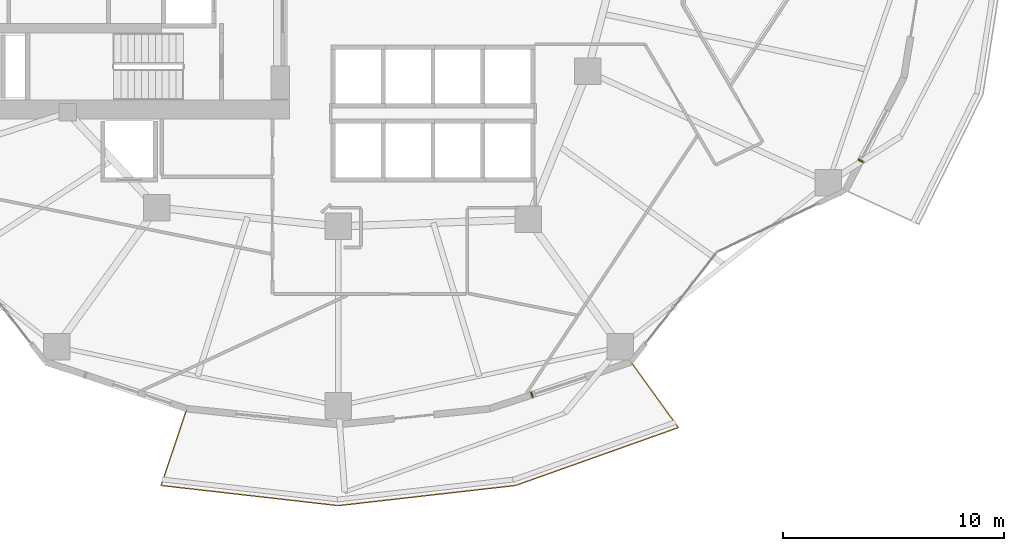
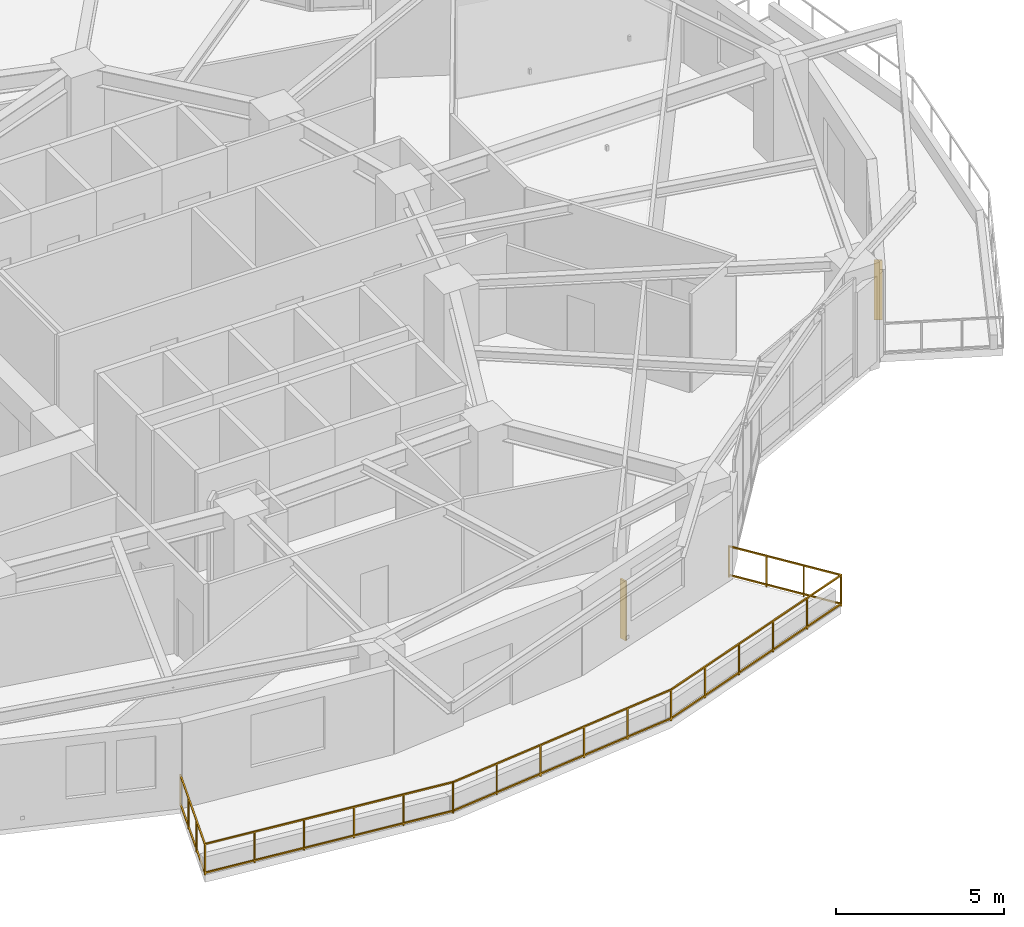
# One storey, part 16 of 18: 2 shading devices, 1 railing.
"""IFC4 building model written with IfcOpenShell, lengths in metres."""

from ifc_helpers import new_model, si_unit, direction, frame, origin, origin_2d, place, context, subcontext, project, spatial, rectangle, extrude, material, type_object, element, save


model = new_model("IFC4")

# Units and contexts
model_context = context("Model", 3, precision=1e-05, world=origin(), true_north=direction((0.0, 1.0)))
body_context = subcontext(model_context, "Body", "Model", "MODEL_VIEW")
ifc_project = project(units=[si_unit("LENGTHUNIT", "METRE"), si_unit("AREAUNIT", "SQUARE_METRE"), si_unit("VOLUMEUNIT", "CUBIC_METRE"), si_unit("PLANEANGLEUNIT", "RADIAN"), si_unit("MASSUNIT", "GRAM", prefix="KILO")], contexts=[model_context])

# Site, building, storey
site_placement = place(None, origin())
site = spatial("IfcSite", under=ifc_project, at=site_placement, CompositionType="ELEMENT")
building_placement = place(site_placement, origin())
building = spatial("IfcBuilding", under=site, at=building_placement, Name="Kolvaren Gate Tower and Convention Centre", CompositionType="ELEMENT")
storey_placement = place(building_placement, frame((0.0, 0.0, 61.14990234375)))
storey = spatial("IfcBuildingStorey", under=building, at=storey_placement, Name="L14", CompositionType="ELEMENT", Elevation=61.14990234375)

# Railing
ifc_material_1 = material(Name="Brushed Stainless Steel Grade 316L", Category="steel")
railing_type = type_object("IfcRailingType", Name="ARCH-RL-GUARD-1150", PredefinedType="GUARDRAIL", material=ifc_material_1)
railing_placement = place(storey_placement, frame((23.282470703125, 6.57080078125, 0.0)))
element("IfcRailing", 1, at=railing_placement, inside=storey, type_object=railing_type, Name="Tower L14 Terrace Perimeter Guardrail GR-3", PredefinedType="GUARDRAIL", context=body_context, shape_type="SweptSolid", body=[
    extrude(rectangle(XDim=0.048095703125, YDim=0.048095703125, at=origin_2d()), frame((-0.0087890625, -0.026611328125, 1.1259765625), z_axis=(-0.317568160167, -0.94823544737, 0.0), x_axis=(0.94823544737, -0.317568160167, 0.0)), (0.0, 0.0, 1.0), 3.60400390625),
    extrude(rectangle(XDim=0.048095703125, YDim=0.048095703125, at=origin_2d()), frame((-0.0087890625, -0.026611328125, 0.083984375), z_axis=(-0.317568160167, -0.94823544737, 0.0), x_axis=(0.94823544737, -0.317568160167, 0.0)), (0.0, 0.0, 1.0), 3.60400390625),
    extrude(rectangle(XDim=0.048095703125, YDim=0.048095703125, at=origin_2d()), frame((-1.134521484375, -3.473876953125, 1.1259765625), z_axis=(0.993598144351, -0.112972242349, 0.0), x_axis=(0.112972242349, 0.993598144351, 0.0)), (0.0, 0.0, 1.0), 8.000244140625),
    extrude(rectangle(XDim=0.048095703125, YDim=0.048095703125, at=origin_2d()), frame((-1.134521484375, -3.473876953125, 0.083984375), z_axis=(0.993598144351, -0.112972242349, 0.0), x_axis=(0.112972242349, 0.993598144351, 0.0)), (0.0, 0.0, 1.0), 8.000244140625),
    extrude(rectangle(XDim=0.048095703125, YDim=0.048095703125, at=origin_2d()), frame((6.870361328125, -4.377685546875, 1.1259765625), z_axis=(0.993598144351, 0.112972242349, 0.0), x_axis=(-0.112972242349, 0.993598144351, 0.0)), (0.0, 0.0, 1.0), 8.000244140625),
    extrude(rectangle(XDim=0.048095703125, YDim=0.048095703125, at=origin_2d()), frame((6.870361328125, -4.377685546875, 0.083984375), z_axis=(0.993598144351, 0.112972242349, 0.0), x_axis=(-0.112972242349, 0.993598144351, 0.0)), (0.0, 0.0, 1.0), 8.000244140625),
    extrude(rectangle(XDim=0.048095703125, YDim=0.048095703125, at=origin_2d()), frame((14.873779296875, -3.46142578125, 1.1259765625), z_axis=(0.942200211781, 0.335050385643, 0.0), x_axis=(-0.335050385643, 0.942200211781, 0.0)), (0.0, 0.0, 1.0), 7.7509765625),
    extrude(rectangle(XDim=0.048095703125, YDim=0.048095703125, at=origin_2d()), frame((14.873779296875, -3.46142578125, 0.083984375), z_axis=(0.942200211781, 0.335050385643, 0.0), x_axis=(-0.335050385643, 0.942200211781, 0.0)), (0.0, 0.0, 1.0), 7.7509765625),
    extrude(rectangle(XDim=0.048095703125, YDim=0.048095703125, at=origin_2d()), frame((22.186767578125, -0.832275390625, 1.1259765625), z_axis=(-0.585212870465, 0.810879705161, 0.0), x_axis=(-0.810879705161, -0.585212870465, 0.0)), (0.0, 0.0, 1.0), 3.603759765625),
    extrude(rectangle(XDim=0.048095703125, YDim=0.048095703125, at=origin_2d()), frame((22.186767578125, -0.832275390625, 0.083984375), z_axis=(-0.585212870465, 0.810879705161, 0.0), x_axis=(-0.810879705161, -0.585212870465, 0.0)), (0.0, 0.0, 1.0), 3.603759765625),
    extrude(rectangle(XDim=0.0419921875, YDim=0.0419921875, at=origin_2d()), origin(), (0.0, 0.0, 1.0), 1.14990234375),
    extrude(rectangle(XDim=0.0419921875, YDim=0.0419921875, at=origin_2d()), frame((-1.162353515625, -3.470703125, 0.0)), (0.0, 0.0, 1.0), 1.14990234375),
    extrude(rectangle(XDim=0.0419921875, YDim=0.0419921875, at=origin_2d()), frame((-0.387451171875, -1.156982421875, 0.0)), (0.0, 0.0, 1.0), 1.099853515625),
    extrude(rectangle(XDim=0.0419921875, YDim=0.0419921875, at=origin_2d()), frame((-0.77490234375, -2.313720703125, 0.0)), (0.0, 0.0, 1.0), 1.099853515625),
    extrude(rectangle(XDim=0.0419921875, YDim=0.0419921875, at=origin_2d()), frame((6.842529296875, -4.380859375, 0.0)), (0.0, 0.0, 1.0), 1.14990234375),
    extrude(rectangle(XDim=0.0419921875, YDim=0.0419921875, at=origin_2d()), frame((0.438720703125, -3.65283203125, 0.0)), (0.0, 0.0, 1.0), 1.099853515625),
    extrude(rectangle(XDim=0.0419921875, YDim=0.0419921875, at=origin_2d()), frame((2.03955078125, -3.834716796875, 0.0)), (0.0, 0.0, 1.0), 1.099853515625),
    extrude(rectangle(XDim=0.0419921875, YDim=0.0419921875, at=origin_2d()), frame((3.640625, -4.016845703125, 0.0)), (0.0, 0.0, 1.0), 1.099853515625),
    extrude(rectangle(XDim=0.0419921875, YDim=0.0419921875, at=origin_2d()), frame((5.241455078125, -4.19873046875, 0.0)), (0.0, 0.0, 1.0), 1.099853515625),
    extrude(rectangle(XDim=0.0419921875, YDim=0.0419921875, at=origin_2d()), frame((14.847412109375, -3.470703125, 0.0)), (0.0, 0.0, 1.0), 1.14990234375),
    extrude(rectangle(XDim=0.0419921875, YDim=0.0419921875, at=origin_2d()), frame((8.443603515625, -4.19873046875, 0.0)), (0.0, 0.0, 1.0), 1.099853515625),
    extrude(rectangle(XDim=0.0419921875, YDim=0.0419921875, at=origin_2d()), frame((10.04443359375, -4.016845703125, 0.0)), (0.0, 0.0, 1.0), 1.099853515625),
    extrude(rectangle(XDim=0.0419921875, YDim=0.0419921875, at=origin_2d()), frame((11.6455078125, -3.834716796875, 0.0)), (0.0, 0.0, 1.0), 1.099853515625),
    extrude(rectangle(XDim=0.0419921875, YDim=0.0419921875, at=origin_2d()), frame((13.246337890625, -3.65283203125, 0.0)), (0.0, 0.0, 1.0), 1.099853515625),
    extrude(rectangle(XDim=0.0419921875, YDim=0.0419921875, at=origin_2d()), frame((22.203125, -0.85498046875, 0.0)), (0.0, 0.0, 1.0), 1.14990234375),
    extrude(rectangle(XDim=0.0419921875, YDim=0.0419921875, at=origin_2d()), frame((16.318603515625, -2.947509765625, 0.0)), (0.0, 0.0, 1.0), 1.099853515625),
    extrude(rectangle(XDim=0.0419921875, YDim=0.0419921875, at=origin_2d()), frame((17.789794921875, -2.42431640625, 0.0)), (0.0, 0.0, 1.0), 1.099853515625),
    extrude(rectangle(XDim=0.0419921875, YDim=0.0419921875, at=origin_2d()), frame((19.2607421875, -1.9013671875, 0.0)), (0.0, 0.0, 1.0), 1.099853515625),
    extrude(rectangle(XDim=0.0419921875, YDim=0.0419921875, at=origin_2d()), frame((20.73193359375, -1.378173828125, 0.0)), (0.0, 0.0, 1.0), 1.099853515625),
    extrude(rectangle(XDim=0.0419921875, YDim=0.0419921875, at=origin_2d()), frame((20.061279296875, 2.11279296875, 0.0)), (0.0, 0.0, 1.0), 1.14990234375),
    extrude(rectangle(XDim=0.0419921875, YDim=0.0419921875, at=origin_2d()), frame((21.4892578125, 0.13427734375, 0.0)), (0.0, 0.0, 1.0), 1.099853515625),
    extrude(rectangle(XDim=0.0419921875, YDim=0.0419921875, at=origin_2d()), frame((20.775146484375, 1.12353515625, 0.0)), (0.0, 0.0, 1.0), 1.099853515625),
])

# Shading devices
ifc_material_2 = material(Name="Kiln-Fired Bogota Terracotta Ceramic Louvre Profile", Category="masonry")
shading_device_type = type_object("IfcShadingDeviceType", Name="ARCH-SHD-FIN-180", PredefinedType="JALOUSIE", material=ifc_material_2)
for number, where, z_axis, x_axis, name in (
    (2, (38.864990234375, 7.199462890625, 0.22021484375), (0.0, 0.0, 1.0), (0.949241728595, 0.314547517385, 0.0), "Ceramic Vertical Brise-Soleil Fin FN-L14-19"),
    (3, (53.7158203125, 17.767578125, 0.22021484375), (0.0, 0.0, 1.0), (0.45980150925, 0.888021718254, 0.0), "Ceramic Vertical Brise-Soleil Fin FN-L14-22"),
):
    element("IfcShadingDevice", number, at=place(storey_placement, frame(where, z_axis=z_axis, x_axis=x_axis)), inside=storey, type_object=shading_device_type, Name=name, PredefinedType="JALOUSIE", context=body_context, shape_type="SweptSolid", body=[
        extrude(rectangle(XDim=0.06005859375, YDim=0.239990234375, at=origin_2d()), origin(), (0.0, 0.0, 1.0), 2.14990234375),
    ])

save(model, "model.ifc")
